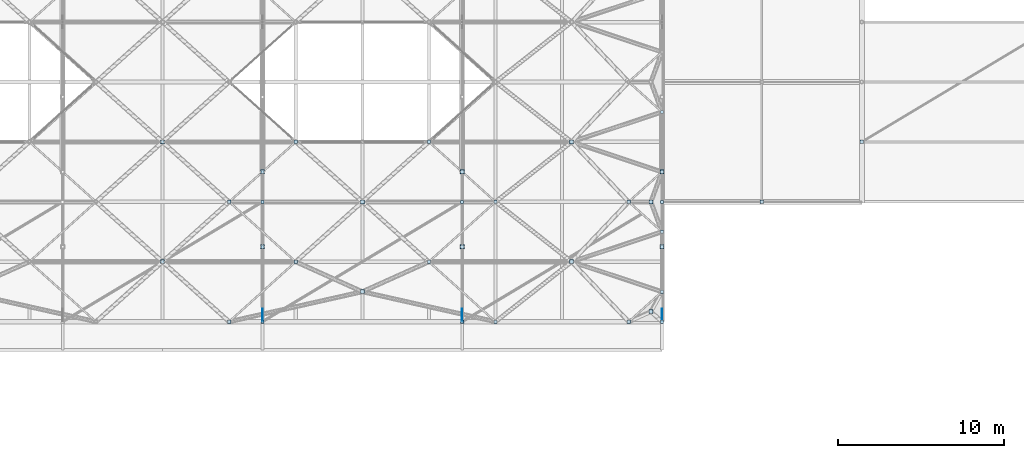
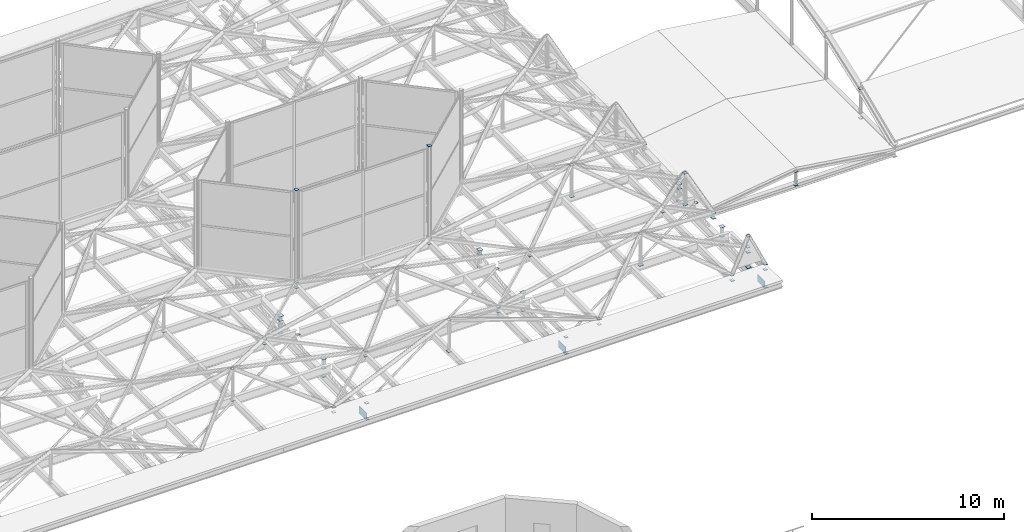
# One storey, part 219 of 239: 80 plates.
"""IFC4 building model written with IfcOpenShell, lengths in metres."""

from ifc_helpers import new_model, si_unit, direction, frame, origin, origin_2d, place, context, subcontext, project, spatial, rectangle, extrude, material, layer, layer_set, type_object, element, save


model = new_model("IFC4")

# Units and contexts
model_context = context("Model", 3, precision=1e-05, world=origin(), true_north=direction((0.0, 1.0)))
body_context = subcontext(model_context, "Body", "Model", "MODEL_VIEW")
ifc_project = project(units=[si_unit("LENGTHUNIT", "METRE"), si_unit("AREAUNIT", "SQUARE_METRE"), si_unit("VOLUMEUNIT", "CUBIC_METRE"), si_unit("PLANEANGLEUNIT", "RADIAN"), si_unit("MASSUNIT", "GRAM", prefix="KILO")], contexts=[model_context])

# Site, building, storey
site_placement = place(None, origin())
site = spatial("IfcSite", under=ifc_project, at=site_placement, CompositionType="ELEMENT")
building_placement = place(site_placement, origin())
building = spatial("IfcBuilding", under=site, at=building_placement, Name="Dunvalen Ferry Terminal", CompositionType="ELEMENT")
storey_placement = place(building_placement, frame((0.0, 0.0, 9.840087890625)))
storey = spatial("IfcBuildingStorey", under=building, at=storey_placement, Name="L02", CompositionType="ELEMENT", Elevation=9.840087890625)

# Plates
ifc_material = material(Name="Steel S355", Category="steel")
ifc_layer_1 = layer(ifc_material, 0.02001953125, Name="Steel S355")
ifc_layer_set_1 = layer_set([ifc_layer_1], Name="Steel S355")
plate_type_1 = type_object("IfcPlateType", Name="STR-PL-GUSSET-01", PredefinedType="USERDEFINED", material=ifc_layer_set_1)
for number, where, z_axis, x_axis, name in (
    (1, (72.0, 54.89990234375, 0.760009765625), (0.0, 0.0, 1.0), (1.0, 0.0, 0.0), "Departure Hall Spandrel Strut Cap Plate 06.1"),
    (2, (72.0, 59.39990234375, 0.760009765625), (0.0, 0.0, 1.0), (1.0, 0.0, 0.0), "Departure Hall Spandrel Strut Cap Plate 06.2"),
    (3, (84.0, 54.89990234375, 0.760009765625), (0.0, 0.0, 1.0), (1.0, 0.0, 0.0), "Departure Hall Spandrel Strut Cap Plate 07.1"),
    (4, (84.0, 59.39990234375, 0.760009765625), (0.0, 0.0, 1.0), (1.0, 0.0, 0.0), "Departure Hall Spandrel Strut Cap Plate 07.2"),
    (5, (96.0, 54.89990234375, 0.760009765625), (0.0, 0.0, 1.0), (1.0, 0.0, 0.0), "Departure Hall Spandrel Strut Cap Plate 08.1"),
    (6, (96.0, 59.39990234375, 0.760009765625), (0.0, 0.0, 1.0), (1.0, 0.0, 0.0), "Departure Hall Spandrel Strut Cap Plate 08.2"),
):
    element("IfcPlate", number, at=place(storey_placement, frame(where, z_axis=z_axis, x_axis=x_axis)), inside=storey, type_object=plate_type_1, Name=name, ObjectType="GUSSET PLATE", PredefinedType="USERDEFINED", context=body_context, shape_type="SweptSolid", body=[
        extrude(rectangle(XDim=0.260009765625, YDim=0.260009765625, at=origin_2d()), origin(), (0.0, 0.0, 1.0), 0.02001953125),
    ])
for number, where, z_axis, x_axis, name in (
    (7, (72.0, 57.60009765625, 0.64990234375), (0.0, 0.0, 1.0), (1.0, 0.0, 0.0), "Departure Hall Wind Brace End Cap Plate 5.50.2"),
    (8, (72.0, 50.39990234375, 0.64990234375), (0.0, 0.0, 1.0), (1.0, 0.0, 0.0), "Departure Hall Wind Brace End Cap Plate 6.50.1"),
    (9, (84.0, 57.60009765625, 0.64990234375), (0.0, 0.0, 1.0), (1.0, 0.0, 0.0), "Departure Hall Wind Brace End Cap Plate 6.50.2"),
    (10, (84.0, 50.39990234375, 0.64990234375), (0.0, 0.0, 1.0), (1.0, 0.0, 0.0), "Departure Hall Wind Brace End Cap Plate 7.50.1"),
    (11, (96.0, 57.60009765625, 0.64990234375), (0.0, 0.0, 1.0), (1.0, 0.0, 0.0), "Departure Hall Wind Brace End Cap Plate 7.50.2"),
):
    element("IfcPlate", number, at=place(storey_placement, frame(where, z_axis=z_axis, x_axis=x_axis)), inside=storey, type_object=plate_type_1, Name=name, ObjectType="GUSSET PLATE", PredefinedType="USERDEFINED", context=body_context, shape_type="SweptSolid", body=[
        extrude(rectangle(XDim=0.179931640625, YDim=0.179931640625, at=origin_2d()), origin(), (0.0, 0.0, 1.0), 0.02001953125),
    ])
for number, where, z_axis, x_axis, name in (
    (12, (66.0, 54.0, 0.760009765625), (0.0, 0.0, 1.0), (1.0, 0.0, 0.0), "HEX-29 Pyramid Apex Strut Base Cap Plate"),
    (13, (66.0, 61.199951171875, 0.760009765625), (0.0, 0.0, 1.0), (1.0, 0.0, 0.0), "HEX-30 Pyramid Apex Strut Base Cap Plate"),
    (14, (78.0, 52.199951171875, 0.760009765625), (0.0, 0.0, 1.0), (1.0, 0.0, 0.0), "HEX-34 Pyramid Apex Strut Base Cap Plate"),
    (15, (78.0, 57.60009765625, 0.760009765625), (0.0, 0.0, 1.0), (1.0, 0.0, 0.0), "HEX-35 Pyramid Apex Strut Base Cap Plate"),
    (16, (90.5712890625, 54.0, 0.760009765625), (0.0, 0.0, 1.0), (1.0, 0.0, 0.0), "HEX-40 Pyramid Apex Strut Base Cap Plate"),
    (17, (90.5712890625, 61.199951171875, 0.760009765625), (0.0, 0.0, 1.0), (1.0, 0.0, 0.0), "HEX-41 Pyramid Apex Strut Base Cap Plate"),
    (18, (95.333251953125, 51.0, 0.760009765625), (0.0, 0.0, 1.0), (1.0, 0.0, 0.0), "HEX-45 Pyramid Apex Strut Base Cap Plate"),
    (19, (95.333251953125, 57.60009765625, 0.760009765625), (0.0, 0.0, 1.0), (1.0, 0.0, 0.0), "HEX-46 Pyramid Apex Strut Base Cap Plate"),
):
    element("IfcPlate", number, at=place(storey_placement, frame(where, z_axis=z_axis, x_axis=x_axis)), inside=storey, type_object=plate_type_1, Name=name, ObjectType="GUSSET PLATE", PredefinedType="USERDEFINED", context=body_context, shape_type="SweptSolid", body=[
        extrude(rectangle(XDim=0.239990234375, YDim=0.239990234375, at=origin_2d()), origin(), (0.0, 0.0, 1.0), 0.02001953125),
    ])
for number, where, z_axis, x_axis, name in (
    (20, (72.0, 54.89990234375, 0.15869140625), (0.0, 0.0, 1.0), (1.0, 0.0, 0.0), "L02 Brace-Strut End Cleat Plate 067"),
    (21, (72.0, 59.39990234375, 0.46484375), (0.0, 0.0, 1.0), (1.0, 0.0, 0.0), "L02 Brace-Strut End Cleat Plate 069"),
    (22, (84.0, 50.39990234375, -0.3701171875), (0.0, 0.0, 1.0), (1.0, 0.0, 0.0), "L02 Brace-Strut End Cleat Plate 079"),
    (23, (84.0, 54.89990234375, -0.3701171875), (0.0, 0.0, 1.0), (1.0, 0.0, 0.0), "L02 Brace-Strut End Cleat Plate 081"),
    (24, (84.0, 59.39990234375, -0.3701171875), (0.0, 0.0, 1.0), (1.0, 0.0, 0.0), "L02 Brace-Strut End Cleat Plate 083"),
    (25, (96.0, 54.89990234375, 0.15869140625), (0.0, 0.0, 1.0), (1.0, 0.0, 0.0), "L02 Brace-Strut End Cleat Plate 093"),
    (26, (96.0, 59.39990234375, 0.46484375), (0.0, 0.0, 1.0), (1.0, 0.0, 0.0), "L02 Brace-Strut End Cleat Plate 095"),
    (27, (66.0, 54.0, 2.7548828125), (0.0, 0.0, 1.0), (1.0, 0.0, 0.0), "L02 Brace-Strut End Cleat Plate 317"),
    (28, (70.0, 50.39990234375, 1.08984375), (0.0, 0.0, 1.0), (1.0, 0.0, 0.0), "L02 Brace-Strut End Cleat Plate 319"),
    (29, (74.0, 54.0, 1.08984375), (0.0, 0.0, 1.0), (1.0, 0.0, 0.0), "L02 Brace-Strut End Cleat Plate 321"),
    (30, (70.0, 57.60009765625, 1.08984375), (0.0, 0.0, 1.0), (1.0, 0.0, 0.0), "L02 Brace-Strut End Cleat Plate 323"),
    (31, (74.0, 61.199951171875, 0.760009765625), (0.0, 0.0, 1.0), (1.0, 0.0, 0.0), "L02 Brace-Strut End Cleat Plate 325"),
    (32, (78.0, 52.199951171875, 2.7548828125), (0.0, 0.0, 1.0), (1.0, 0.0, 0.0), "L02 Brace-Strut End Cleat Plate 349"),
    (33, (86.0, 50.39990234375, 1.08984375), (0.0, 0.0, 1.0), (1.0, 0.0, 0.0), "L02 Brace-Strut End Cleat Plate 351"),
    (34, (82.0, 54.0, 1.08984375), (0.0, 0.0, 1.0), (1.0, 0.0, 0.0), "L02 Brace-Strut End Cleat Plate 353"),
    (35, (86.0, 57.60009765625, 0.760009765625), (0.0, 0.0, 1.0), (1.0, 0.0, 0.0), "L02 Brace-Strut End Cleat Plate 355"),
    (36, (82.0, 61.199951171875, 0.760009765625), (0.0, 0.0, 1.0), (1.0, 0.0, 0.0), "L02 Brace-Strut End Cleat Plate 357"),
    (37, (82.0, 61.199951171875, 6.989990234375), (0.0, 0.0, 1.0), (1.0, 0.0, 0.0), "L02 Brace-Strut End Cleat Plate 361"),
    (38, (94.0, 50.39990234375, 0.760009765625), (0.0, 0.0, 1.0), (1.0, 0.0, 0.0), "L02 Brace-Strut End Cleat Plate 383"),
    (39, (96.0, 52.199951171875, 0.760009765625), (0.0, 0.0, 1.0), (1.0, 0.0, 0.0), "L02 Brace-Strut End Cleat Plate 385"),
    (40, (96.0, 55.800048828125, 0.760009765625), (0.0, 0.0, 1.0), (1.0, 0.0, 0.0), "L02 Brace-Strut End Cleat Plate 387"),
    (41, (94.0, 57.60009765625, 0.760009765625), (0.0, 0.0, 1.0), (1.0, 0.0, 0.0), "L02 Brace-Strut End Cleat Plate 389"),
    (42, (90.5712890625, 61.199951171875, 2.7548828125), (0.0, 0.0, 1.0), (1.0, 0.0, 0.0), "L02 Brace-Strut End Cleat Plate 391"),
    (43, (96.0, 63.0, 0.760009765625), (0.0, 0.0, 1.0), (1.0, 0.0, 0.0), "L02 Brace-Strut End Cleat Plate 393"),
    (44, (96.0, 50.39990234375, 0.760009765625), (0.0, 0.0, 1.0), (1.0, 0.0, 0.0), "L02 Brace-Strut End Cleat Plate 419"),
    (45, (95.333251953125, 57.60009765625, 2.7548828125), (0.0, 0.0, 1.0), (1.0, 0.0, 0.0), "L02 Brace-Strut End Cleat Plate 421"),
    (46, (108.0, 61.199951171875, -0.35009765625), (0.0, 0.0, 1.0), (1.0, 0.0, 0.0), "L02 Brace-Strut End Cleat Plate 427"),
    (47, (102.0, 57.60009765625, -0.330078125), (0.0, 0.0, 1.0), (1.0, 0.0, 0.0), "L02 Brace-Strut End Cleat Plate 563"),
):
    element("IfcPlate", number, at=place(storey_placement, frame(where, z_axis=z_axis, x_axis=x_axis)), inside=storey, type_object=plate_type_1, Name=name, ObjectType="GUSSET PLATE", PredefinedType="USERDEFINED", context=body_context, shape_type="SweptSolid", body=[
        extrude(rectangle(XDim=0.199951171875, YDim=0.199951171875, at=origin_2d()), origin(), (0.0, 0.0, 1.0), 0.02001953125),
    ])
ifc_layer_2 = layer(ifc_material, 0.02587890625, Name="Steel S355")
ifc_layer_set_2 = layer_set([ifc_layer_2], Name="Steel S355")
plate_type_2 = type_object("IfcPlateType", Name="STR-PL-GUSSET-02", PredefinedType="USERDEFINED", material=ifc_layer_set_2)
for number, where, z_axis, x_axis, name in (
    (48, (72.0, 50.800048828125, -0.46484375), (0.0, 0.0, 1.0), (1.0, 0.0, 0.0), "Departure Hall Arch Gusset Plate 06.1"),
    (49, (84.0, 50.800048828125, -0.46484375), (0.0, 0.0, 1.0), (1.0, 0.0, 0.0), "Departure Hall Arch Gusset Plate 07.1"),
    (50, (96.0, 50.800048828125, -0.46484375), (0.0, 0.0, 1.0), (1.0, 0.0, 0.0), "Departure Hall Arch Gusset Plate 08.1"),
):
    element("IfcPlate", number, at=place(storey_placement, frame(where, z_axis=z_axis, x_axis=x_axis)), inside=storey, type_object=plate_type_2, Name=name, ObjectType="GUSSET PLATE", PredefinedType="USERDEFINED", context=body_context, shape_type="SweptSolid", body=[
        extrude(rectangle(XDim=0.031982421875, YDim=0.75, at=origin_2d()), origin(), (0.0, 0.0, 1.0), 0.449951171875),
    ])
for number, where, z_axis, x_axis, name in (
    (51, (72.0, 50.39990234375, -0.373046875), (0.0, 0.0, 1.0), (1.0, 0.0, 0.0), "L02 Brace-Strut End Cleat Plate 066"),
    (52, (72.0, 54.89990234375, -0.373046875), (0.0, 0.0, 1.0), (1.0, 0.0, 0.0), "L02 Brace-Strut End Cleat Plate 068"),
    (53, (72.0, 59.39990234375, -0.373046875), (0.0, 0.0, 1.0), (1.0, 0.0, 0.0), "L02 Brace-Strut End Cleat Plate 070"),
    (54, (84.0, 54.89990234375, 0.15576171875), (0.0, 0.0, 1.0), (1.0, 0.0, 0.0), "L02 Brace-Strut End Cleat Plate 080"),
    (55, (84.0, 59.39990234375, 0.4619140625), (0.0, 0.0, 1.0), (1.0, 0.0, 0.0), "L02 Brace-Strut End Cleat Plate 082"),
    (56, (96.0, 50.39990234375, -0.373046875), (0.0, 0.0, 1.0), (1.0, 0.0, 0.0), "L02 Brace-Strut End Cleat Plate 092"),
    (57, (96.0, 54.89990234375, -0.373046875), (0.0, 0.0, 1.0), (1.0, 0.0, 0.0), "L02 Brace-Strut End Cleat Plate 094"),
    (58, (96.0, 59.39990234375, -0.373046875), (0.0, 0.0, 1.0), (1.0, 0.0, 0.0), "L02 Brace-Strut End Cleat Plate 096"),
    (59, (70.0, 50.39990234375, 0.757080078125), (0.0, 0.0, 1.0), (1.0, 0.0, 0.0), "L02 Brace-Strut End Cleat Plate 318"),
    (60, (74.0, 54.0, 0.757080078125), (0.0, 0.0, 1.0), (1.0, 0.0, 0.0), "L02 Brace-Strut End Cleat Plate 320"),
    (61, (70.0, 57.60009765625, 0.757080078125), (0.0, 0.0, 1.0), (1.0, 0.0, 0.0), "L02 Brace-Strut End Cleat Plate 322"),
    (62, (66.0, 61.199951171875, 2.751953125), (0.0, 0.0, 1.0), (1.0, 0.0, 0.0), "L02 Brace-Strut End Cleat Plate 324"),
    (63, (74.0, 61.199951171875, 1.0869140625), (0.0, 0.0, 1.0), (1.0, 0.0, 0.0), "L02 Brace-Strut End Cleat Plate 326"),
    (64, (86.0, 50.39990234375, 0.757080078125), (0.0, 0.0, 1.0), (1.0, 0.0, 0.0), "L02 Brace-Strut End Cleat Plate 350"),
    (65, (82.0, 54.0, 0.757080078125), (0.0, 0.0, 1.0), (1.0, 0.0, 0.0), "L02 Brace-Strut End Cleat Plate 352"),
    (66, (78.0, 57.60009765625, 2.751953125), (0.0, 0.0, 1.0), (1.0, 0.0, 0.0), "L02 Brace-Strut End Cleat Plate 354"),
    (67, (86.0, 57.60009765625, 1.0869140625), (0.0, 0.0, 1.0), (1.0, 0.0, 0.0), "L02 Brace-Strut End Cleat Plate 356"),
    (68, (82.0, 61.199951171875, 1.0869140625), (0.0, 0.0, 1.0), (1.0, 0.0, 0.0), "L02 Brace-Strut End Cleat Plate 358"),
    (69, (74.0, 61.199951171875, 6.987060546875), (0.0, 0.0, 1.0), (1.0, 0.0, 0.0), "L02 Brace-Strut End Cleat Plate 360"),
    (70, (90.5712890625, 54.0, 2.751953125), (0.0, 0.0, 1.0), (1.0, 0.0, 0.0), "L02 Brace-Strut End Cleat Plate 382"),
    (71, (94.0, 50.39990234375, 1.0869140625), (0.0, 0.0, 1.0), (1.0, 0.0, 0.0), "L02 Brace-Strut End Cleat Plate 384"),
    (72, (96.0, 52.199951171875, 1.0869140625), (0.0, 0.0, 1.0), (1.0, 0.0, 0.0), "L02 Brace-Strut End Cleat Plate 386"),
    (73, (96.0, 55.800048828125, 1.0869140625), (0.0, 0.0, 1.0), (1.0, 0.0, 0.0), "L02 Brace-Strut End Cleat Plate 388"),
    (74, (94.0, 57.60009765625, 1.0869140625), (0.0, 0.0, 1.0), (1.0, 0.0, 0.0), "L02 Brace-Strut End Cleat Plate 390"),
    (75, (96.0, 59.39990234375, 1.0869140625), (0.0, 0.0, 1.0), (1.0, 0.0, 0.0), "L02 Brace-Strut End Cleat Plate 392"),
    (76, (96.0, 63.0, 1.0869140625), (0.0, 0.0, 1.0), (1.0, 0.0, 0.0), "L02 Brace-Strut End Cleat Plate 394"),
    (77, (95.333251953125, 51.0, 2.751953125), (0.0, 0.0, 1.0), (1.0, 0.0, 0.0), "L02 Brace-Strut End Cleat Plate 418"),
    (78, (96.0, 50.39990234375, 1.0869140625), (0.0, 0.0, 1.0), (1.0, 0.0, 0.0), "L02 Brace-Strut End Cleat Plate 420"),
    (79, (108.0, 61.199951171875, 1.517578125), (0.0, 0.0, 1.0), (1.0, 0.0, 0.0), "L02 Brace-Strut End Cleat Plate 428"),
    (80, (102.0, 57.60009765625, 0.52685546875), (0.0, 0.0, 1.0), (1.0, 0.0, 0.0), "L02 Brace-Strut End Cleat Plate 564"),
):
    element("IfcPlate", number, at=place(storey_placement, frame(where, z_axis=z_axis, x_axis=x_axis)), inside=storey, type_object=plate_type_2, Name=name, ObjectType="GUSSET PLATE", PredefinedType="USERDEFINED", context=body_context, shape_type="SweptSolid", body=[
        extrude(rectangle(XDim=0.199951171875, YDim=0.199951171875, at=origin_2d()), origin(), (0.0, 0.0, 1.0), 0.02587890625),
    ])

save(model, "model.ifc")
